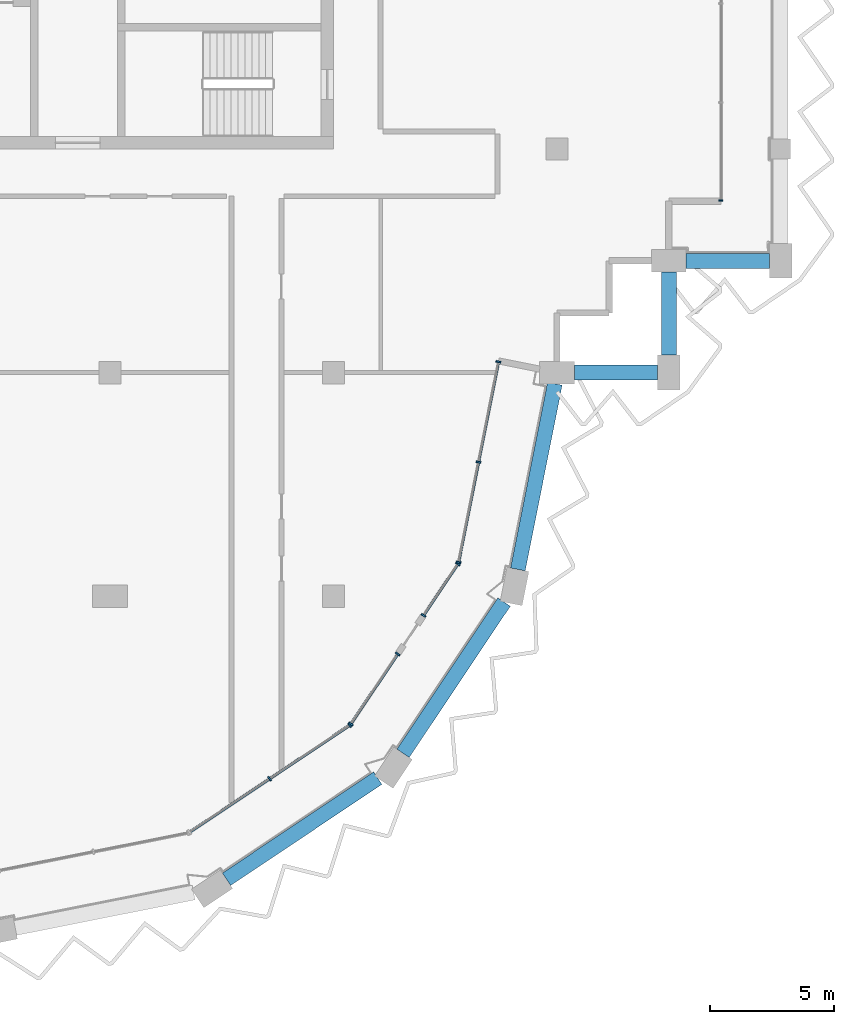
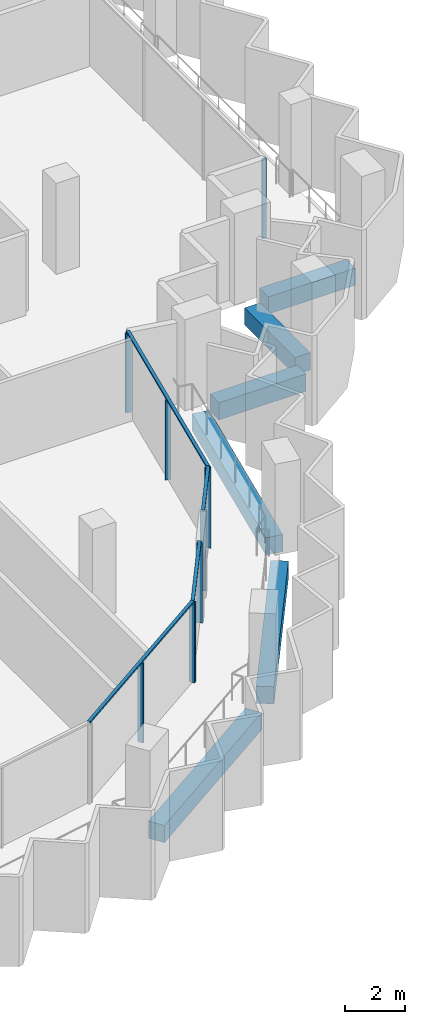
# One storey, part 3 of 14: 14 members, 6 beams, 5 elements without a shape of their own.
"""IFC4 building model written with IfcOpenShell, lengths in metres."""

from ifc_helpers import new_model, si_unit, direction, frame, origin, origin_2d, place, context, subcontext, project, spatial, rectangle, extrude, material, material_profile, profile_set, type_object, element, aggregate, save


model = new_model("IFC4")

# Units and contexts
model_context = context("Model", 3, precision=1e-05, world=origin(), true_north=direction((0.0, 1.0)))
body_context = subcontext(model_context, "Body", "Model", "MODEL_VIEW")
ifc_project = project(units=[si_unit("LENGTHUNIT", "METRE"), si_unit("AREAUNIT", "SQUARE_METRE"), si_unit("VOLUMEUNIT", "CUBIC_METRE"), si_unit("PLANEANGLEUNIT", "RADIAN"), si_unit("MASSUNIT", "GRAM", prefix="KILO")], contexts=[model_context])

# Site, building, storey
site_placement = place(None, origin())
site = spatial("IfcSite", under=ifc_project, at=site_placement, CompositionType="ELEMENT")
building_placement = place(site_placement, origin())
building = spatial("IfcBuilding", under=site, at=building_placement, Name="Hunhe Ridgeline Campus", CompositionType="ELEMENT")
storey_placement = place(building_placement, frame((0.0, 0.0, 291.89990234375)))
storey = spatial("IfcBuildingStorey", under=building, at=storey_placement, Name="L75", CompositionType="ELEMENT", Elevation=291.89990234375)

# Curtain wall, member
ifc_material_1 = material(Name="Aluminium 6063", Category="aluminium")
curtain_wall_type_1 = type_object("IfcCurtainWallType", Name="Curtain wall CW-1", PredefinedType="NOTDEFINED", material=ifc_material_1)
curtain_wall_1_placement = place(storey_placement, origin())
curtain_wall_1 = element("IfcCurtainWall", 1, at=curtain_wall_1_placement, inside=storey, type_object=curtain_wall_type_1, Name="Curtain wall 11", PredefinedType="NOTDEFINED")
ifc_material_profile_1 = material_profile(ifc_material_1, rectangle(XDim=0.159912109375, YDim=0.06005859375, at=origin_2d()))
ifc_profile_set_1 = profile_set([ifc_material_profile_1], Name="Aluminium 6063")
member_type_1 = type_object("IfcMemberType", Name="CW-1 aluminium mullion", PredefinedType="MULLION", material=ifc_profile_set_1)
member_1_placement = place(storey_placement, frame((51.59912109375, 60.930908203125, 0.0), z_axis=(0.0, 0.0, 1.0), x_axis=(-1.0, 0.0, 0.0)))
member_1 = element("IfcMember", 2, at=member_1_placement, type_object=member_type_1, Name="CW-1 mullion 1", PredefinedType="MULLION", context=body_context, shape_type="SweptSolid", body=[
    extrude(rectangle(XDim=0.159912109375, YDim=0.06005859375, at=origin_2d()), origin(), (0.0, 0.0, 1.0), 3.239990234375),
])
aggregate(curtain_wall_1, [member_1])

# Curtain wall, members
curtain_wall_type_2 = type_object("IfcCurtainWallType", Name="Curtain wall CW-5", PredefinedType="NOTDEFINED", material=ifc_material_1)
curtain_wall_2_placement = place(storey_placement, origin())
curtain_wall_2 = element("IfcCurtainWall", 3, at=curtain_wall_2_placement, inside=storey, type_object=curtain_wall_type_2, Name="Curtain wall 07", PredefinedType="NOTDEFINED")
ifc_material_profile_2 = material_profile(ifc_material_1, rectangle(XDim=0.199951171875, YDim=0.070068359375, at=origin_2d()))
ifc_profile_set_2 = profile_set([ifc_material_profile_2], Name="Aluminium 6063")
member_type_2 = type_object("IfcMemberType", Name="CW-5 aluminium mullion", PredefinedType="MULLION", material=ifc_profile_set_2)
member_2_placement = place(storey_placement, frame((33.42626953125, 37.647705078125, 0.0), z_axis=(0.0, 0.0, 1.0), x_axis=(-0.555570274596, 0.831469584522, 0.0)))
member_2 = element("IfcMember", 4, at=member_2_placement, type_object=member_type_2, Name="CW-5 mullion 2", PredefinedType="MULLION", context=body_context, shape_type="SweptSolid", body=[
    extrude(rectangle(XDim=0.199951171875, YDim=0.070068359375, at=origin_2d()), origin(), (0.0, 0.0, 1.0), 3.22998046875),
])
member_3_placement = place(storey_placement, frame((36.649658203125, 39.8017578125, 0.0), z_axis=(0.0, 0.0, 1.0), x_axis=(-0.555570274596, 0.831469584522, 0.0)))
member_3 = element("IfcMember", 5, at=member_3_placement, type_object=member_type_2, Name="CW-5 mullion 3", PredefinedType="MULLION", context=body_context, shape_type="SweptSolid", body=[
    extrude(rectangle(XDim=0.199951171875, YDim=0.070068359375, at=origin_2d()), origin(), (0.0, 0.0, 1.0), 3.22998046875),
])

curtain_wall_3_placement = place(storey_placement, origin())
curtain_wall_3 = element("IfcCurtainWall", 6, at=curtain_wall_3_placement, inside=storey, type_object=curtain_wall_type_2, Name="Curtain wall 08", PredefinedType="NOTDEFINED")
member_4_placement = place(storey_placement, frame((36.6982421875, 39.850341796875, 0.0), z_axis=(0.0, 0.0, 1.0), x_axis=(-0.831469595944, 0.555570257501, 0.0)))
member_4 = element("IfcMember", 7, at=member_4_placement, type_object=member_type_2, Name="CW-5 mullion 1", PredefinedType="MULLION", context=body_context, shape_type="SweptSolid", body=[
    extrude(rectangle(XDim=0.199951171875, YDim=0.070068359375, at=origin_2d()), origin(), (0.0, 0.0, 1.0), 3.22998046875),
])
member_5_placement = place(storey_placement, frame((38.582763671875, 42.67041015625, 0.0), z_axis=(0.0, 0.0, 1.0), x_axis=(-0.831469595944, 0.555570257501, 0.0)))
member_5 = element("IfcMember", 8, at=member_5_placement, type_object=member_type_2, Name="CW-5 mullion 2", PredefinedType="MULLION", context=body_context, shape_type="SweptSolid", body=[
    extrude(rectangle(XDim=0.199951171875, YDim=0.070068359375, at=origin_2d()), origin(), (0.0, 0.0, 1.0), 3.22998046875),
])

curtain_wall_4_placement = place(storey_placement, origin())
curtain_wall_4 = element("IfcCurtainWall", 9, at=curtain_wall_4_placement, inside=storey, type_object=curtain_wall_type_2, Name="Curtain wall 09", PredefinedType="NOTDEFINED")
member_6_placement = place(storey_placement, frame((39.62158203125, 44.225341796875, 0.0), z_axis=(0.0, 0.0, 1.0), x_axis=(-0.831469510353, 0.555570385598, 0.0)))
member_6 = element("IfcMember", 10, at=member_6_placement, type_object=member_type_2, Name="CW-5 mullion 1", PredefinedType="MULLION", context=body_context, shape_type="SweptSolid", body=[
    extrude(rectangle(XDim=0.199951171875, YDim=0.070068359375, at=origin_2d()), origin(), (0.0, 0.0, 1.0), 3.22998046875),
])
member_7_placement = place(storey_placement, frame((41.006103515625, 46.29736328125, 0.0), z_axis=(0.0, 0.0, 1.0), x_axis=(-0.831469510353, 0.555570385598, 0.0)))
member_7 = element("IfcMember", 11, at=member_7_placement, type_object=member_type_2, Name="CW-5 mullion 2", PredefinedType="MULLION", context=body_context, shape_type="SweptSolid", body=[
    extrude(rectangle(XDim=0.199951171875, YDim=0.070068359375, at=origin_2d()), origin(), (0.0, 0.0, 1.0), 3.22998046875),
])

curtain_wall_5_placement = place(storey_placement, origin())
curtain_wall_5 = element("IfcCurtainWall", 12, at=curtain_wall_5_placement, inside=storey, type_object=curtain_wall_type_2, Name="Curtain wall 10", PredefinedType="NOTDEFINED")
member_8_placement = place(storey_placement, frame((41.032470703125, 46.36083984375, 0.0), z_axis=(0.0, 0.0, 1.0), x_axis=(-0.980782515828, 0.19510421996, 0.0)))
member_8 = element("IfcMember", 13, at=member_8_placement, type_object=member_type_2, Name="CW-5 mullion 1", PredefinedType="MULLION", context=body_context, shape_type="SweptSolid", body=[
    extrude(rectangle(XDim=0.199951171875, YDim=0.070068359375, at=origin_2d()), origin(), (0.0, 0.0, 1.0), 3.22998046875),
])
member_9_placement = place(storey_placement, frame((41.83544921875, 50.397705078125, 0.0), z_axis=(0.0, 0.0, 1.0), x_axis=(-0.980782515828, 0.19510421996, 0.0)))
member_9 = element("IfcMember", 14, at=member_9_placement, type_object=member_type_2, Name="CW-5 mullion 2", PredefinedType="MULLION", context=body_context, shape_type="SweptSolid", body=[
    extrude(rectangle(XDim=0.199951171875, YDim=0.070068359375, at=origin_2d()), origin(), (0.0, 0.0, 1.0), 3.22998046875),
])
member_10_placement = place(storey_placement, frame((42.638427734375, 54.4345703125, 0.0), z_axis=(0.0, 0.0, 1.0), x_axis=(-0.980782515828, 0.19510421996, 0.0)))
member_10 = element("IfcMember", 15, at=member_10_placement, type_object=member_type_2, Name="CW-5 mullion 3", PredefinedType="MULLION", context=body_context, shape_type="SweptSolid", body=[
    extrude(rectangle(XDim=0.199951171875, YDim=0.070068359375, at=origin_2d()), origin(), (0.0, 0.0, 1.0), 3.22998046875),
])

# Member
ifc_material_profile_3 = material_profile(ifc_material_1, rectangle(XDim=0.1201171875, YDim=0.070068359375, at=origin_2d()))
ifc_profile_set_3 = profile_set([ifc_material_profile_3], Name="Aluminium 6063")
member_type_3 = type_object("IfcMemberType", Name="CW-5 aluminium transom", PredefinedType="USERDEFINED", material=ifc_profile_set_3)
member_11_placement = place(storey_placement, frame((30.173583984375, 35.474365234375, 3.26513671875), z_axis=(0.831473763475, 0.5555640203, 0.0), x_axis=(-0.5555640203, 0.831473763475, 0.0)))
member_11 = element("IfcMember", 16, at=member_11_placement, type_object=member_type_3, Name="CW-5 transom 1", ObjectType="TRANSOM", PredefinedType="USERDEFINED", context=body_context, shape_type="SweptSolid", body=[
    extrude(rectangle(XDim=0.1201171875, YDim=0.070068359375, at=origin_2d()), origin(), (0.0, 0.0, 1.0), 7.823974609375),
])

aggregate(curtain_wall_2, [member_11, member_2, member_3])

member_12_placement = place(storey_placement, frame((36.678955078125, 39.821044921875, 3.26513671875), z_axis=(0.555546133463, 0.831485714606, 0.0), x_axis=(-0.831485714606, 0.555546133463, 0.0)))
member_12 = element("IfcMember", 17, at=member_12_placement, type_object=member_type_3, Name="CW-5 transom 1", ObjectType="TRANSOM", PredefinedType="USERDEFINED", context=body_context, shape_type="SweptSolid", body=[
    extrude(rectangle(XDim=0.1201171875, YDim=0.070068359375, at=origin_2d()), origin(), (0.0, 0.0, 1.0), 3.462158203125),
])

aggregate(curtain_wall_3, [member_12, member_4, member_5])

member_13_placement = place(storey_placement, frame((39.602294921875, 44.1962890625, 3.26513671875), z_axis=(0.555579547735, 0.831463388334, 0.0), x_axis=(-0.831463388334, 0.555579547735, 0.0)))
member_13 = element("IfcMember", 18, at=member_13_placement, type_object=member_type_3, Name="CW-5 transom 1", ObjectType="TRANSOM", PredefinedType="USERDEFINED", context=body_context, shape_type="SweptSolid", body=[
    extrude(rectangle(XDim=0.1201171875, YDim=0.070068359375, at=origin_2d()), origin(), (0.0, 0.0, 1.0), 2.56201171875),
])

aggregate(curtain_wall_4, [member_13, member_6, member_7])

member_14_placement = place(storey_placement, frame((41.025634765625, 46.326416015625, 3.26513671875), z_axis=(0.195092405068, 0.980784866056, 0.0), x_axis=(-0.980784866056, 0.195092405068, 0.0)))
member_14 = element("IfcMember", 19, at=member_14_placement, type_object=member_type_3, Name="CW-5 transom 1", ObjectType="TRANSOM", PredefinedType="USERDEFINED", context=body_context, shape_type="SweptSolid", body=[
    extrude(rectangle(XDim=0.1201171875, YDim=0.070068359375, at=origin_2d()), origin(), (0.0, 0.0, 1.0), 8.3017578125),
])

aggregate(curtain_wall_5, [member_14, member_8, member_9, member_10])

# Beams
ifc_material_2 = material(Name="Concrete C50", Category="concrete")
ifc_material_profile_4 = material_profile(ifc_material_2, rectangle(XDim=0.60009765625, YDim=0.699951171875, at=origin_2d()))
ifc_profile_set_4 = profile_set([ifc_material_profile_4], Name="Concrete C50")
beam_type = type_object("IfcBeamType", Name="RC spandrel beam 600x700 Concrete C50", PredefinedType="SPANDREL", material=ifc_profile_set_4)
beam_1_placement = place(storey_placement, frame((31.6923828125, 33.6015625, -0.599853515625), z_axis=(0.831470141209, 0.555569441455, 0.0), x_axis=(-0.555569441455, 0.831470141209, 0.0)))
element("IfcBeam", 20, at=beam_1_placement, inside=storey, type_object=beam_type, Name="Spandrel beam B4-6 L75", PredefinedType="SPANDREL", context=body_context, shape_type="SweptSolid", body=[
    extrude(rectangle(XDim=0.60009765625, YDim=0.699951171875, at=origin_2d()), origin(), (0.0, 0.0, 1.0), 7.321533203125),
])
beam_2_placement = place(storey_placement, frame((38.798828125, 38.672119140625, -0.599853515625), z_axis=(0.555584845389, 0.831459848444, 0.0), x_axis=(-0.831459848444, 0.555584845389, 0.0)))
element("IfcBeam", 21, at=beam_2_placement, inside=storey, type_object=beam_type, Name="Spandrel beam B4-7 L75", PredefinedType="SPANDREL", context=body_context, shape_type="SweptSolid", body=[
    extrude(rectangle(XDim=0.60009765625, YDim=0.699951171875, at=origin_2d()), origin(), (0.0, 0.0, 1.0), 7.3212890625),
])
beam_3_placement = place(storey_placement, frame((43.423828125, 46.076171875, -0.599853515625), z_axis=(0.195080943744, 0.980787145811, 0.0), x_axis=(-0.980787145811, 0.195080943744, 0.0)))
element("IfcBeam", 22, at=beam_3_placement, inside=storey, type_object=beam_type, Name="Spandrel beam B4-8 L75", PredefinedType="SPANDREL", context=body_context, shape_type="SweptSolid", body=[
    extrude(rectangle(XDim=0.60009765625, YDim=0.699951171875, at=origin_2d()), origin(), (0.0, 0.0, 1.0), 7.620361328125),
])
for number, where, z_axis, x_axis, name in (
    (23, (45.699951171875, 54.0, -0.599853515625), (1.0, 0.0, 0.0), (0.0, 1.0, 0.0), "Spandrel beam B4-9 L75"),
    (24, (49.5, 54.699951171875, -0.599853515625), (0.0, 1.0, 0.0), (-1.0, 0.0, 0.0), "Spandrel beam B4-10 L75"),
    (25, (50.199951171875, 58.5, -0.599853515625), (1.0, 0.0, 0.0), (0.0, 1.0, 0.0), "Spandrel beam B4-11 L75"),
):
    element("IfcBeam", number, at=place(storey_placement, frame(where, z_axis=z_axis, x_axis=x_axis)), inside=storey, type_object=beam_type, Name=name, PredefinedType="SPANDREL", context=body_context, shape_type="SweptSolid", body=[
        extrude(rectangle(XDim=0.60009765625, YDim=0.699951171875, at=origin_2d()), origin(), (0.0, 0.0, 1.0), 3.35009765625),
    ])

save(model, "model.ifc")
